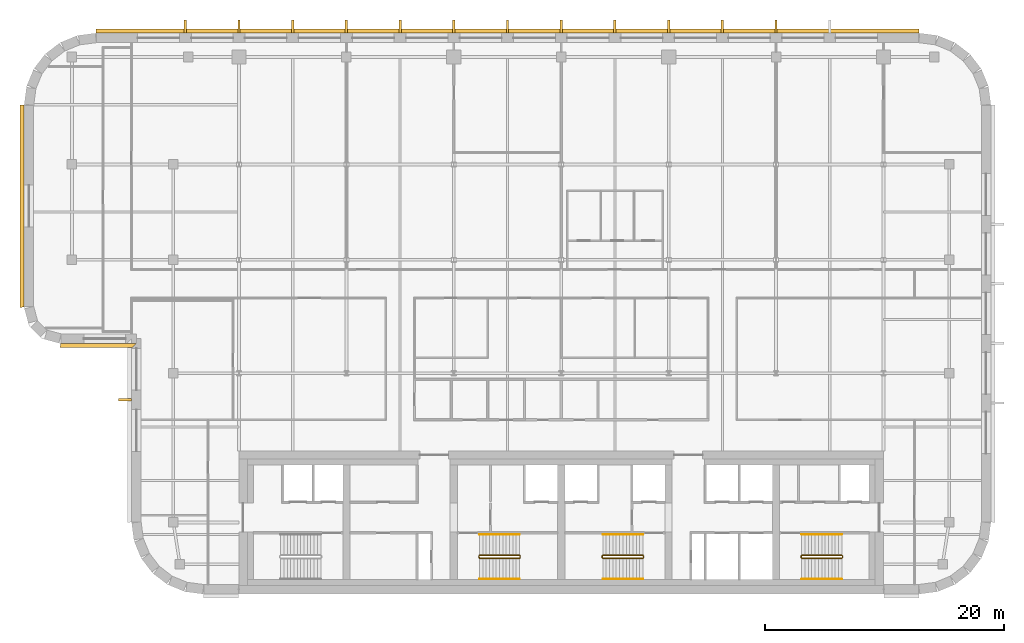
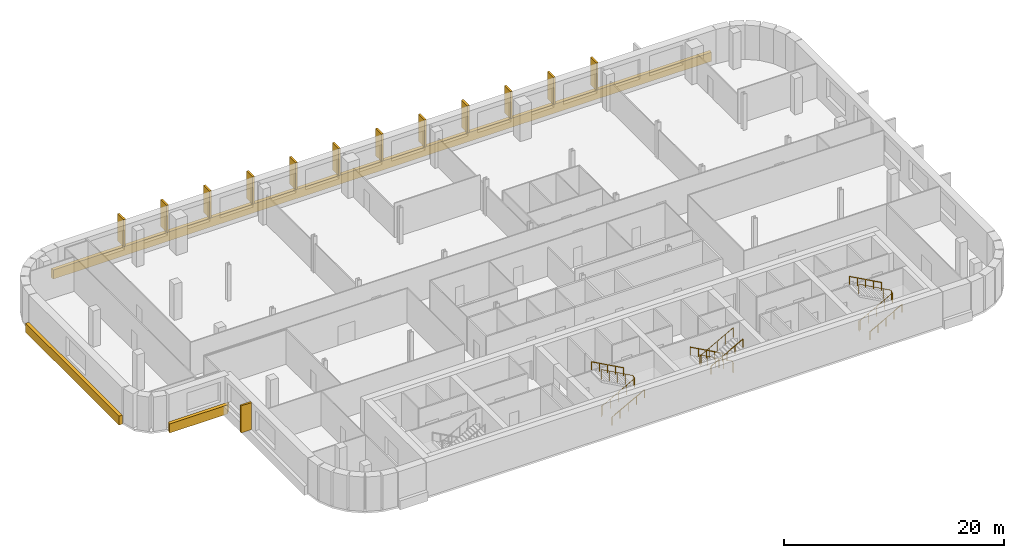
# One storey, part 14 of 16: 16 coverings, 9 railings.
"""IFC4 building model written with IfcOpenShell, lengths in metres."""

import ifcopenshell
import ifcopenshell.guid

model = None  # the IFC model being written
_history = None  # IfcOwnerHistory: only IFC2X3 demands one
_inside = {}  # id of a spatial element -> (the spatial element, [elements in it])
_under = {}  # id of a project, library or spatial element -> (it, [spatial elements below it])
_declared = {}  # id of a project -> (the project, [libraries it declares])
_typed = {}  # id of a type object -> (the type object, [elements of that type])
_made_of = {}  # id of a material, layer set ... -> (it, [elements and type objects made of it])


def new_model(schema):
    """Start an empty IFC model of exactly this schema.

    Asked for "IFC4X3", IfcOpenShell would pick the latest addendum, in which some entities
    have other attributes; the version numbers below select the first issue.
    IFC2X3 requires an IfcOwnerHistory on every rooted entity: one is made here for all.
    """
    global model, _history
    if schema == "IFC4X3":
        model = ifcopenshell.file(schema_version=(4, 3, 0, 0))
    else:
        model = ifcopenshell.file(schema=schema)
    _inside.clear()
    _under.clear()
    _declared.clear()
    _typed.clear()
    _made_of.clear()
    _history = None
    if model.schema == "IFC2X3":
        org = make("IfcOrganization", Name="unknown")
        user = make(
            "IfcPersonAndOrganization",
            ThePerson=make("IfcPerson", FamilyName="unknown"),
            TheOrganization=org,
        )
        app = make(
            "IfcApplication",
            ApplicationDeveloper=org,
            Version="unknown",
            ApplicationFullName="unknown",
            ApplicationIdentifier="unknown",
        )
        _history = make(
            "IfcOwnerHistory",
            OwningUser=user,
            OwningApplication=app,
            ChangeAction="ADDED",
            CreationDate=0,
        )
    return model


def make(cls, **values):
    """One entity of the class cls with the attributes given. An attribute that is None is left unset."""
    return model.create_entity(
        cls, **{name: value for name, value in values.items() if value is not None}
    )


def rooted(cls, **values):
    """An entity with a GlobalId (a new one), such as an element, a storey or a relation."""
    return make(cls, GlobalId=ifcopenshell.guid.new(), OwnerHistory=_history, **values)


def si_unit(unit_type, name, prefix=None):
    """IfcSIUnit, for example si_unit("LENGTHUNIT", "METRE", prefix="MILLI")."""
    return make("IfcSIUnit", UnitType=unit_type, Prefix=prefix, Name=name)


def assignment(units):
    """IfcUnitAssignment: the units of a project."""
    return None if units is None else make("IfcUnitAssignment", Units=units)


def point(xyz):
    """IfcCartesianPoint."""
    return None if xyz is None else make("IfcCartesianPoint", Coordinates=xyz)


def direction(xyz):
    """IfcDirection."""
    return None if xyz is None else make("IfcDirection", DirectionRatios=xyz)


def frame(location, z_axis=None, x_axis=None):
    """IfcAxis2Placement3D, a coordinate frame: its origin and axes. An axis left out is left unset."""
    return make(
        "IfcAxis2Placement3D",
        Location=point(location),
        Axis=direction(z_axis),
        RefDirection=direction(x_axis),
    )


def frame_2d(location, x_axis=None):
    """IfcAxis2Placement2D, a coordinate frame in the plane: its origin and x axis."""
    return make(
        "IfcAxis2Placement2D", Location=point(location), RefDirection=direction(x_axis)
    )


def origin():
    """The frame at (0, 0, 0) with its axes left unset."""
    return frame((0.0, 0.0, 0.0))


def origin_2d():
    """The frame at (0, 0) in the plane with its x axis left unset."""
    return frame_2d((0.0, 0.0))


def place(relative_to, where):
    """IfcLocalPlacement: puts the frame where relative to a parent placement (None: the world)."""
    return make(
        "IfcLocalPlacement", PlacementRelTo=relative_to, RelativePlacement=where
    )


def context(
    kind, dimensions, precision=None, world=None, true_north=None, identifier=None
):
    """IfcGeometricRepresentationContext, for example the 3D "Model" context."""
    return make(
        "IfcGeometricRepresentationContext",
        ContextIdentifier=identifier,
        ContextType=kind,
        CoordinateSpaceDimension=dimensions,
        Precision=precision,
        WorldCoordinateSystem=world,
        TrueNorth=true_north,
    )


def subcontext(parent, identifier, kind, view, scale=None):
    """IfcGeometricRepresentationSubContext, for example "Body" below "Model"."""
    return make(
        "IfcGeometricRepresentationSubContext",
        ContextIdentifier=identifier,
        ContextType=kind,
        ParentContext=parent,
        TargetScale=scale,
        TargetView=view,
    )


def project(units=None, contexts=None):
    """IfcProject with its units and contexts."""
    return rooted(
        "IfcProject",
        Name="project",
        RepresentationContexts=contexts,
        UnitsInContext=assignment(units),
    )


def spatial(cls, under=None, at=None, **own):
    """A site, building, storey or space (cls), placed at a placement, below another one or the project."""
    s = rooted(cls, ObjectPlacement=at, **own)
    if under is not None:
        _under.setdefault(under.id(), (under, []))[1].append(s)
    return s


def polyline(points):
    """IfcPolyline through the points."""
    return make("IfcPolyline", Points=[point(p) for p in points])


def profile(cls, at=None, kind="AREA", **sizes):
    """A parametric profile (cls). Its sizes go by their IFC names, for example OverallWidth=200.0."""
    return make(cls, ProfileType=kind, Position=at, **sizes)


def circle(**sizes):
    """IfcCircleProfileDef."""
    return profile("IfcCircleProfileDef", **sizes)


def outline(outer, holes=None, kind="AREA"):
    """IfcArbitraryClosedProfileDef: a profile drawn as a closed curve; with holes, ...WithVoids."""
    if holes is None:
        return make("IfcArbitraryClosedProfileDef", ProfileType=kind, OuterCurve=outer)
    return make(
        "IfcArbitraryProfileDefWithVoids",
        ProfileType=kind,
        OuterCurve=outer,
        InnerCurves=holes,
    )


def extrude(swept, where, along, depth):
    """IfcExtrudedAreaSolid: the profile swept, set in the frame where, extruded along a direction by depth."""
    return make(
        "IfcExtrudedAreaSolid",
        SweptArea=swept,
        Position=where,
        ExtrudedDirection=direction(along),
        Depth=depth,
    )


def shape(context_of_items, identifier, shape_type, items):
    """IfcShapeRepresentation: the items that make up one representation, for example the "Body"."""
    return make(
        "IfcShapeRepresentation",
        ContextOfItems=context_of_items,
        RepresentationIdentifier=identifier,
        RepresentationType=shape_type,
        Items=items,
    )


def material(Name=None, Category=None):
    """IfcMaterial."""
    return make("IfcMaterial", Name=Name, Category=Category)


def layer(
    of_material, thickness, ventilated=None, Name=None, Category=None, Priority=None
):
    """IfcMaterialLayer: one layer of a wall or slab, of a material (None: an air gap)."""
    return make(
        "IfcMaterialLayer",
        Material=of_material,
        LayerThickness=thickness,
        IsVentilated=ventilated,
        Name=Name,
        Category=Category,
        Priority=Priority,
    )


def layer_set(layers, Name=None):
    """IfcMaterialLayerSet."""
    return make("IfcMaterialLayerSet", MaterialLayers=layers, LayerSetName=Name)


def made_of(thing, what):
    """Note that an element or type object is made of a material, layer set ...; save() writes the relation."""
    if what is not None:
        _made_of.setdefault(what.id(), (what, []))[1].append(thing)
    return thing


def type_object(cls, material=None, **own):
    """A type object (cls), such as IfcWallType, which elements share."""
    return made_of(rooted(cls, **own), material)


def element(
    cls,
    number,
    at=None,
    inside=None,
    cuts=None,
    type_object=None,
    material=None,
    context=None,
    identifier="Body",
    shape_type=None,
    held_by="IfcProductDefinitionShape",
    body=None,
    shapes=None,
    **own,
):
    """One element of the class cls, such as IfcWall. Its Tag is "e" and its number.

    at: its placement. inside: the storey or other place that contains it. cuts: it is an
    opening in that element (IfcRelVoidsElement). A single representation is given by context,
    identifier, shape_type and body (its items); several are given by shapes. held_by: the class
    of the entity that holds the representations. save() writes the other relations.
    """
    e = rooted(cls, Tag="e%d" % number, ObjectPlacement=at, **own)
    if body is not None:
        shapes = [shape(context, identifier, shape_type, body)]
    if shapes is not None:
        e.Representation = make(held_by, Representations=shapes)
    if inside is not None:
        _inside.setdefault(inside.id(), (inside, []))[1].append(e)
    if cuts is not None:
        rooted(
            "IfcRelVoidsElement", RelatingBuildingElement=cuts, RelatedOpeningElement=e
        )
    if type_object is not None:
        _typed.setdefault(type_object.id(), (type_object, []))[1].append(e)
    return made_of(e, material)


def aggregate(whole, parts):
    """IfcRelAggregates: a whole, such as a stair, and the parts it consists of."""
    return rooted("IfcRelAggregates", RelatingObject=whole, RelatedObjects=parts)


def save(model, path):
    """Write the relations noted so far, then the file.

    IfcRelAggregates (storeys below a building ...), IfcRelContainedInSpatialStructure (elements
    in a storey), IfcRelDefinesByType, IfcRelAssociatesMaterial and IfcRelDeclares: one each for
    every whole, place, type object, material and project.
    """
    for whole, parts in _under.values():
        aggregate(whole, parts)
    for where, things in _inside.values():
        rooted(
            "IfcRelContainedInSpatialStructure",
            RelatedElements=things,
            RelatingStructure=where,
        )
    for kind, things in _typed.values():
        rooted("IfcRelDefinesByType", RelatedObjects=things, RelatingType=kind)
    for what, things in _made_of.values():
        rooted("IfcRelAssociatesMaterial", RelatedObjects=things, RelatingMaterial=what)
    for by, libraries in _declared.values():
        rooted("IfcRelDeclares", RelatingContext=by, RelatedDefinitions=libraries)
    model.write(path)


model = new_model("IFC4")

# Units and contexts
model_context = context("Model", 3, precision=1e-05, world=origin(), true_north=direction((0.0, 1.0)))
body_context = subcontext(model_context, "Body", "Model", "MODEL_VIEW")
ifc_project = project(units=[si_unit("LENGTHUNIT", "METRE"), si_unit("AREAUNIT", "SQUARE_METRE"), si_unit("VOLUMEUNIT", "CUBIC_METRE"), si_unit("PLANEANGLEUNIT", "RADIAN"), si_unit("MASSUNIT", "GRAM", prefix="KILO")], contexts=[model_context])

# Site, building, storey
site_placement = place(None, origin())
site = spatial("IfcSite", under=ifc_project, at=site_placement, CompositionType="ELEMENT")
building_placement = place(site_placement, origin())
building = spatial("IfcBuilding", under=site, at=building_placement, Name="Zellij Exchange Tower", CompositionType="ELEMENT")
storey_placement = place(building_placement, frame((0.0, 0.0, 248.5)))
storey = spatial("IfcBuildingStorey", under=building, at=storey_placement, Name="L58", CompositionType="ELEMENT", Elevation=248.5)

# Railings
ifc_material_1 = material(Name="Stainless steel", Category="steel")
railing_type_1 = type_object("IfcRailingType", Name="CORE-RG stair guard", PredefinedType="GUARDRAIL", material=ifc_material_1)
railing_1_placement = place(storey_placement, frame((-6.89990234375, -10.949951171875, 0.0)))
element("IfcRailing", 1, at=railing_1_placement, inside=storey, type_object=railing_type_1, Name="ST2 stair guard L58", PredefinedType="GUARDRAIL", context=body_context, shape_type="SweptSolid", body=[
    extrude(circle(Radius=0.02392578125, at=origin_2d()), frame((0.0, 0.0, 1.076171875), z_axis=(0.0, 1.0, 0.0), x_axis=(-1.0, 0.0, 0.0)), (0.0, 0.0, 1.0), 0.14990234375),
    extrude(circle(Radius=0.02392578125, at=origin_2d()), frame((0.0, 0.14990234375, 1.076171875), z_axis=(0.193691321961, -0.777613689637, 0.598164376644), x_axis=(0.970351222016, 0.241699205484, 0.0)), (0.0, 0.0, 1.0), 0.257080078125),
    extrude(circle(Radius=0.02392578125, at=origin_2d()), frame((0.0498046875, -0.050048828125, 1.22998046875), z_axis=(0.876421534553, 0.0, 0.481544695509), x_axis=(0.0, 1.0, 0.0)), (0.0, 0.0, 1.0), 3.833984375),
    extrude(circle(Radius=0.02392578125, at=origin_2d()), frame((3.409912109375, -0.050048828125, 3.076171875), z_axis=(0.707106781187, 0.707106781187, 0.0), x_axis=(-0.707106781187, 0.707106781187, 0.0)), (0.0, 0.0, 1.0), 0.07080078125),
    extrude(circle(Radius=0.02392578125, at=origin_2d()), frame((3.4599609375, 0.0, 3.076171875), z_axis=(0.0, 1.0, 0.0), x_axis=(-1.0, 0.0, 0.0)), (0.0, 0.0, 1.0), 0.14990234375),
    extrude(circle(Radius=0.02392578125, at=origin_2d()), frame((3.4599609375, 0.14990234375, 3.076171875), z_axis=(-0.295599637079, 0.295599637079, 0.908428152975), x_axis=(-0.707106781187, -0.707106781187, 0.0)), (0.0, 0.0, 1.0), 0.16943359375),
    extrude(circle(Radius=0.02392578125, at=origin_2d()), frame((3.409912109375, 0.199951171875, 3.22998046875), z_axis=(-0.876421534553, 0.0, 0.481544695509), x_axis=(0.0, -1.0, 0.0)), (0.0, 0.0, 1.0), 3.833984375),
    extrude(circle(Radius=0.02099609375, at=origin_2d()), origin(), (0.0, 0.0, 1.0), 1.052001953125),
    extrude(circle(Radius=0.02099609375, at=origin_2d()), frame((0.0, 0.14990234375, 0.0)), (0.0, 0.0, 1.0), 1.052001953125),
    extrude(circle(Radius=0.02099609375, at=origin_2d()), frame((0.0498046875, -0.050048828125, 0.15380859375)), (0.0, 0.0, 1.0), 1.052001953125),
    extrude(circle(Radius=0.02099609375, at=origin_2d()), frame((0.889892578125, -0.050048828125, 0.615234375)), (0.0, 0.0, 1.0), 1.052001953125),
    extrude(circle(Radius=0.02099609375, at=origin_2d()), frame((1.72998046875, -0.050048828125, 1.076904296875)), (0.0, 0.0, 1.0), 1.052001953125),
    extrude(circle(Radius=0.02099609375, at=origin_2d()), frame((2.56982421875, -0.050048828125, 1.53857421875)), (0.0, 0.0, 1.0), 1.052001953125),
    extrude(circle(Radius=0.02099609375, at=origin_2d()), frame((3.409912109375, -0.050048828125, 2.0)), (0.0, 0.0, 1.0), 1.052001953125),
    extrude(circle(Radius=0.02099609375, at=origin_2d()), frame((3.4599609375, 0.0, 2.0)), (0.0, 0.0, 1.0), 1.052001953125),
    extrude(circle(Radius=0.02099609375, at=origin_2d()), frame((3.4599609375, 0.14990234375, 2.0)), (0.0, 0.0, 1.0), 1.052001953125),
    extrude(circle(Radius=0.02099609375, at=origin_2d()), frame((3.409912109375, 0.199951171875, 2.15380859375)), (0.0, 0.0, 1.0), 1.052001953125),
    extrude(circle(Radius=0.02099609375, at=origin_2d()), frame((2.56982421875, 0.199951171875, 2.615234375)), (0.0, 0.0, 1.0), 1.052001953125),
    extrude(circle(Radius=0.02099609375, at=origin_2d()), frame((1.72998046875, 0.199951171875, 3.076904296875)), (0.0, 0.0, 1.0), 1.052001953125),
    extrude(circle(Radius=0.02099609375, at=origin_2d()), frame((0.889892578125, 0.199951171875, 3.53857421875)), (0.0, 0.0, 1.0), 1.052001953125),
    extrude(circle(Radius=0.02099609375, at=origin_2d()), frame((0.0498046875, 0.199951171875, 4.0)), (0.0, 0.0, 1.0), 1.052001953125),
])
railing_2_placement = place(storey_placement, frame((6.89990234375, -10.800048828125, 0.0)))
element("IfcRailing", 2, at=railing_2_placement, inside=storey, type_object=railing_type_1, Name="ST3 stair guard L58", PredefinedType="GUARDRAIL", context=body_context, shape_type="SweptSolid", body=[
    extrude(circle(Radius=0.02392578125, at=origin_2d()), frame((0.0, 0.0, 1.076171875), z_axis=(0.0, -1.0, 0.0), x_axis=(1.0, 0.0, 0.0)), (0.0, 0.0, 1.0), 0.14990234375),
    extrude(circle(Radius=0.02392578125, at=origin_2d()), frame((0.0, -0.14990234375, 1.076171875), z_axis=(-0.193691321961, 0.777613689637, 0.598164376644), x_axis=(-0.970351222016, -0.241699205484, 0.0)), (0.0, 0.0, 1.0), 0.257080078125),
    extrude(circle(Radius=0.02392578125, at=origin_2d()), frame((-0.0498046875, 0.050048828125, 1.22998046875), z_axis=(-0.876421534553, 0.0, 0.481544695509), x_axis=(0.0, -1.0, 0.0)), (0.0, 0.0, 1.0), 3.833984375),
    extrude(circle(Radius=0.02392578125, at=origin_2d()), frame((-3.409912109375, 0.050048828125, 3.076171875), z_axis=(-0.707106781187, -0.707106781187, 0.0), x_axis=(0.707106781187, -0.707106781187, 0.0)), (0.0, 0.0, 1.0), 0.07080078125),
    extrude(circle(Radius=0.02392578125, at=origin_2d()), frame((-3.4599609375, 0.0, 3.076171875), z_axis=(0.0, -1.0, 0.0), x_axis=(1.0, 0.0, 0.0)), (0.0, 0.0, 1.0), 0.14990234375),
    extrude(circle(Radius=0.02392578125, at=origin_2d()), frame((-3.4599609375, -0.14990234375, 3.076171875), z_axis=(0.295599637079, -0.295599637079, 0.908428152975), x_axis=(0.707106781187, 0.707106781187, 0.0)), (0.0, 0.0, 1.0), 0.16943359375),
    extrude(circle(Radius=0.02392578125, at=origin_2d()), frame((-3.409912109375, -0.199951171875, 3.22998046875), z_axis=(0.876421534553, 0.0, 0.481544695509), x_axis=(0.0, 1.0, 0.0)), (0.0, 0.0, 1.0), 3.833984375),
    extrude(circle(Radius=0.02099609375, at=origin_2d()), origin(), (0.0, 0.0, 1.0), 1.052001953125),
    extrude(circle(Radius=0.02099609375, at=origin_2d()), frame((0.0, -0.14990234375, 0.0)), (0.0, 0.0, 1.0), 1.052001953125),
    extrude(circle(Radius=0.02099609375, at=origin_2d()), frame((-0.0498046875, 0.050048828125, 0.15380859375)), (0.0, 0.0, 1.0), 1.052001953125),
    extrude(circle(Radius=0.02099609375, at=origin_2d()), frame((-0.889892578125, 0.050048828125, 0.615234375)), (0.0, 0.0, 1.0), 1.052001953125),
    extrude(circle(Radius=0.02099609375, at=origin_2d()), frame((-1.72998046875, 0.050048828125, 1.076904296875)), (0.0, 0.0, 1.0), 1.052001953125),
    extrude(circle(Radius=0.02099609375, at=origin_2d()), frame((-2.56982421875, 0.050048828125, 1.53857421875)), (0.0, 0.0, 1.0), 1.052001953125),
    extrude(circle(Radius=0.02099609375, at=origin_2d()), frame((-3.409912109375, 0.050048828125, 2.0)), (0.0, 0.0, 1.0), 1.052001953125),
    extrude(circle(Radius=0.02099609375, at=origin_2d()), frame((-3.4599609375, 0.0, 2.0)), (0.0, 0.0, 1.0), 1.052001953125),
    extrude(circle(Radius=0.02099609375, at=origin_2d()), frame((-3.4599609375, -0.14990234375, 2.0)), (0.0, 0.0, 1.0), 1.052001953125),
    extrude(circle(Radius=0.02099609375, at=origin_2d()), frame((-3.409912109375, -0.199951171875, 2.15380859375)), (0.0, 0.0, 1.0), 1.052001953125),
    extrude(circle(Radius=0.02099609375, at=origin_2d()), frame((-2.56982421875, -0.199951171875, 2.615234375)), (0.0, 0.0, 1.0), 1.052001953125),
    extrude(circle(Radius=0.02099609375, at=origin_2d()), frame((-1.72998046875, -0.199951171875, 3.076904296875)), (0.0, 0.0, 1.0), 1.052001953125),
    extrude(circle(Radius=0.02099609375, at=origin_2d()), frame((-0.889892578125, -0.199951171875, 3.53857421875)), (0.0, 0.0, 1.0), 1.052001953125),
    extrude(circle(Radius=0.02099609375, at=origin_2d()), frame((-0.0498046875, -0.199951171875, 4.0)), (0.0, 0.0, 1.0), 1.052001953125),
])
railing_3_placement = place(storey_placement, frame((20.10009765625, -10.949951171875, 0.0)))
element("IfcRailing", 3, at=railing_3_placement, inside=storey, type_object=railing_type_1, Name="ST4 stair guard L58", PredefinedType="GUARDRAIL", context=body_context, shape_type="SweptSolid", body=[
    extrude(circle(Radius=0.02392578125, at=origin_2d()), frame((0.0, 0.0, 1.076171875), z_axis=(0.0, 1.0, 0.0), x_axis=(-1.0, 0.0, 0.0)), (0.0, 0.0, 1.0), 0.14990234375),
    extrude(circle(Radius=0.02392578125, at=origin_2d()), frame((0.0, 0.14990234375, 1.076171875), z_axis=(0.193691321961, -0.777613689637, 0.598164376644), x_axis=(0.970351222016, 0.241699205484, 0.0)), (0.0, 0.0, 1.0), 0.257080078125),
    extrude(circle(Radius=0.02392578125, at=origin_2d()), frame((0.0498046875, -0.050048828125, 1.22998046875), z_axis=(0.876421534553, 0.0, 0.481544695509), x_axis=(0.0, 1.0, 0.0)), (0.0, 0.0, 1.0), 3.833984375),
    extrude(circle(Radius=0.02392578125, at=origin_2d()), frame((3.409912109375, -0.050048828125, 3.076171875), z_axis=(0.707106781187, 0.707106781187, 0.0), x_axis=(-0.707106781187, 0.707106781187, 0.0)), (0.0, 0.0, 1.0), 0.07080078125),
    extrude(circle(Radius=0.02392578125, at=origin_2d()), frame((3.4599609375, 0.0, 3.076171875), z_axis=(0.0, 1.0, 0.0), x_axis=(-1.0, 0.0, 0.0)), (0.0, 0.0, 1.0), 0.14990234375),
    extrude(circle(Radius=0.02392578125, at=origin_2d()), frame((3.4599609375, 0.14990234375, 3.076171875), z_axis=(-0.295599637079, 0.295599637079, 0.908428152975), x_axis=(-0.707106781187, -0.707106781187, 0.0)), (0.0, 0.0, 1.0), 0.16943359375),
    extrude(circle(Radius=0.02392578125, at=origin_2d()), frame((3.409912109375, 0.199951171875, 3.22998046875), z_axis=(-0.876421534553, 0.0, 0.481544695509), x_axis=(0.0, -1.0, 0.0)), (0.0, 0.0, 1.0), 3.833984375),
    extrude(circle(Radius=0.02099609375, at=origin_2d()), origin(), (0.0, 0.0, 1.0), 1.052001953125),
    extrude(circle(Radius=0.02099609375, at=origin_2d()), frame((0.0, 0.14990234375, 0.0)), (0.0, 0.0, 1.0), 1.052001953125),
    extrude(circle(Radius=0.02099609375, at=origin_2d()), frame((0.0498046875, -0.050048828125, 0.15380859375)), (0.0, 0.0, 1.0), 1.052001953125),
    extrude(circle(Radius=0.02099609375, at=origin_2d()), frame((0.889892578125, -0.050048828125, 0.615234375)), (0.0, 0.0, 1.0), 1.052001953125),
    extrude(circle(Radius=0.02099609375, at=origin_2d()), frame((1.72998046875, -0.050048828125, 1.076904296875)), (0.0, 0.0, 1.0), 1.052001953125),
    extrude(circle(Radius=0.02099609375, at=origin_2d()), frame((2.56982421875, -0.050048828125, 1.53857421875)), (0.0, 0.0, 1.0), 1.052001953125),
    extrude(circle(Radius=0.02099609375, at=origin_2d()), frame((3.409912109375, -0.050048828125, 2.0)), (0.0, 0.0, 1.0), 1.052001953125),
    extrude(circle(Radius=0.02099609375, at=origin_2d()), frame((3.4599609375, 0.0, 2.0)), (0.0, 0.0, 1.0), 1.052001953125),
    extrude(circle(Radius=0.02099609375, at=origin_2d()), frame((3.4599609375, 0.14990234375, 2.0)), (0.0, 0.0, 1.0), 1.052001953125),
    extrude(circle(Radius=0.02099609375, at=origin_2d()), frame((3.409912109375, 0.199951171875, 2.15380859375)), (0.0, 0.0, 1.0), 1.052001953125),
    extrude(circle(Radius=0.02099609375, at=origin_2d()), frame((2.56982421875, 0.199951171875, 2.615234375)), (0.0, 0.0, 1.0), 1.052001953125),
    extrude(circle(Radius=0.02099609375, at=origin_2d()), frame((1.72998046875, 0.199951171875, 3.076904296875)), (0.0, 0.0, 1.0), 1.052001953125),
    extrude(circle(Radius=0.02099609375, at=origin_2d()), frame((0.889892578125, 0.199951171875, 3.53857421875)), (0.0, 0.0, 1.0), 1.052001953125),
    extrude(circle(Radius=0.02099609375, at=origin_2d()), frame((0.0498046875, 0.199951171875, 4.0)), (0.0, 0.0, 1.0), 1.052001953125),
])
railing_type_2 = type_object("IfcRailingType", Name="CORE-RH stair handrail", PredefinedType="HANDRAIL", material=ifc_material_1)
railing_4_placement = place(storey_placement, frame((-6.85009765625, -12.75, 0.15380859375)))
element("IfcRailing", 4, at=railing_4_placement, inside=storey, type_object=railing_type_2, Name="ST2 stair handrail L58", PredefinedType="HANDRAIL", context=body_context, shape_type="SweptSolid", body=[
    extrude(circle(Radius=0.02392578125, at=origin_2d()), frame((0.0, 0.0, 0.8759765625), z_axis=(0.876421534553, 0.0, 0.481544695509), x_axis=(0.0, 1.0, 0.0)), (0.0, 0.0, 1.0), 3.833984375),
    extrude(circle(Radius=0.02099609375, at=origin_2d()), origin(), (0.0, 0.0, 1.0), 0.851806640625),
    extrude(circle(Radius=0.02099609375, at=origin_2d()), frame((0.840087890625, 0.0, 0.46142578125)), (0.0, 0.0, 1.0), 0.851806640625),
    extrude(circle(Radius=0.02099609375, at=origin_2d()), frame((1.68017578125, 0.0, 0.923095703125)), (0.0, 0.0, 1.0), 0.851806640625),
    extrude(circle(Radius=0.02099609375, at=origin_2d()), frame((2.52001953125, 0.0, 1.384765625)), (0.0, 0.0, 1.0), 0.851806640625),
    extrude(circle(Radius=0.02099609375, at=origin_2d()), frame((3.360107421875, 0.0, 1.84619140625)), (0.0, 0.0, 1.0), 0.851806640625),
])
for number, where, name in (
    (5, (-3.489990234375, -9.0, 2.15380859375), "ST2 stair handrail L58"),
    (6, (6.85009765625, -9.0, 0.15380859375), "ST3 stair handrail L58"),
):
    element("IfcRailing", number, at=place(storey_placement, frame(where)), inside=storey, type_object=railing_type_2, Name=name, PredefinedType="HANDRAIL", context=body_context, shape_type="SweptSolid", body=[
        extrude(circle(Radius=0.02392578125, at=origin_2d()), frame((0.0, 0.0, 0.8759765625), z_axis=(-0.876421534553, 0.0, 0.481544695509), x_axis=(0.0, -1.0, 0.0)), (0.0, 0.0, 1.0), 3.833984375),
        extrude(circle(Radius=0.02099609375, at=origin_2d()), origin(), (0.0, 0.0, 1.0), 0.851806640625),
        extrude(circle(Radius=0.02099609375, at=origin_2d()), frame((-0.840087890625, 0.0, 0.46142578125)), (0.0, 0.0, 1.0), 0.851806640625),
        extrude(circle(Radius=0.02099609375, at=origin_2d()), frame((-1.68017578125, 0.0, 0.923095703125)), (0.0, 0.0, 1.0), 0.851806640625),
        extrude(circle(Radius=0.02099609375, at=origin_2d()), frame((-2.52001953125, 0.0, 1.384765625)), (0.0, 0.0, 1.0), 0.851806640625),
        extrude(circle(Radius=0.02099609375, at=origin_2d()), frame((-3.360107421875, 0.0, 1.84619140625)), (0.0, 0.0, 1.0), 0.851806640625),
    ])
for number, where, name in (
    (7, (3.489990234375, -12.75, 2.15380859375), "ST3 stair handrail L58"),
    (8, (20.14990234375, -12.75, 0.15380859375), "ST4 stair handrail L58"),
):
    element("IfcRailing", number, at=place(storey_placement, frame(where)), inside=storey, type_object=railing_type_2, Name=name, PredefinedType="HANDRAIL", context=body_context, shape_type="SweptSolid", body=[
        extrude(circle(Radius=0.02392578125, at=origin_2d()), frame((0.0, 0.0, 0.8759765625), z_axis=(0.876421534553, 0.0, 0.481544695509), x_axis=(0.0, 1.0, 0.0)), (0.0, 0.0, 1.0), 3.833984375),
        extrude(circle(Radius=0.02099609375, at=origin_2d()), origin(), (0.0, 0.0, 1.0), 0.851806640625),
        extrude(circle(Radius=0.02099609375, at=origin_2d()), frame((0.840087890625, 0.0, 0.46142578125)), (0.0, 0.0, 1.0), 0.851806640625),
        extrude(circle(Radius=0.02099609375, at=origin_2d()), frame((1.68017578125, 0.0, 0.923095703125)), (0.0, 0.0, 1.0), 0.851806640625),
        extrude(circle(Radius=0.02099609375, at=origin_2d()), frame((2.52001953125, 0.0, 1.384765625)), (0.0, 0.0, 1.0), 0.851806640625),
        extrude(circle(Radius=0.02099609375, at=origin_2d()), frame((3.360107421875, 0.0, 1.84619140625)), (0.0, 0.0, 1.0), 0.851806640625),
    ])
railing_5_placement = place(storey_placement, frame((23.510009765625, -9.0, 2.15380859375)))
element("IfcRailing", 9, at=railing_5_placement, inside=storey, type_object=railing_type_2, Name="ST4 stair handrail L58", PredefinedType="HANDRAIL", context=body_context, shape_type="SweptSolid", body=[
    extrude(circle(Radius=0.02392578125, at=origin_2d()), frame((0.0, 0.0, 0.8759765625), z_axis=(-0.876421534553, 0.0, 0.481544695509), x_axis=(0.0, -1.0, 0.0)), (0.0, 0.0, 1.0), 3.833984375),
    extrude(circle(Radius=0.02099609375, at=origin_2d()), origin(), (0.0, 0.0, 1.0), 0.851806640625),
    extrude(circle(Radius=0.02099609375, at=origin_2d()), frame((-0.840087890625, 0.0, 0.46142578125)), (0.0, 0.0, 1.0), 0.851806640625),
    extrude(circle(Radius=0.02099609375, at=origin_2d()), frame((-1.68017578125, 0.0, 0.923095703125)), (0.0, 0.0, 1.0), 0.851806640625),
    extrude(circle(Radius=0.02099609375, at=origin_2d()), frame((-2.52001953125, 0.0, 1.384765625)), (0.0, 0.0, 1.0), 0.851806640625),
    extrude(circle(Radius=0.02099609375, at=origin_2d()), frame((-3.360107421875, 0.0, 1.84619140625)), (0.0, 0.0, 1.0), 0.851806640625),
])

# Coverings
ifc_material_2 = material(Name="Limestone cladding", Category="masonry")
ifc_layer = layer(ifc_material_2, 0.35009765625)
ifc_layer_set = layer_set([ifc_layer], Name="Limestone cladding")
covering_type_1 = type_object("IfcCoveringType", Name="ENV-CV10 Stone spandrel band 350", PredefinedType="CLADDING", material=ifc_layer_set)
covering_1_placement = place(storey_placement, frame((0.0, 0.0, -0.199951171875)))
element("IfcCovering", 10, at=covering_1_placement, inside=storey, type_object=covering_type_1, Name="Stone spandrel band", PredefinedType="CLADDING", context=body_context, shape_type="SweptSolid", body=[
    extrude(outline(polyline([(29.973876953125, 33.0), (-38.973876953125, 33.0), (-38.99658203125, 33.35009765625), (29.99658203125, 33.35009765625), (29.973876953125, 33.0)])), origin(), (0.0, 0.0, 1.0), 1.0),
])
covering_2_placement = place(storey_placement, frame((0.0, 0.0, -0.199951171875)))
element("IfcCovering", 11, at=covering_2_placement, inside=storey, type_object=covering_type_1, Name="Stone spandrel band", PredefinedType="CLADDING", context=body_context, shape_type="SweptSolid", body=[
    extrude(outline(polyline([(-45.0, 26.973876953125), (-45.0, 10.052734375), (-45.35009765625, 10.006591796875), (-45.35009765625, 26.99658203125), (-45.0, 26.973876953125)])), origin(), (0.0, 0.0, 1.0), 1.0),
])
covering_3_placement = place(storey_placement, frame((0.0, 0.0, -0.199951171875)))
element("IfcCovering", 12, at=covering_3_placement, inside=storey, type_object=covering_type_1, Name="Stone spandrel band", PredefinedType="CLADDING", context=body_context, shape_type="SweptSolid", body=[
    extrude(outline(polyline([(-41.947265625, 7.0), (-35.60009765625, 7.0), (-35.949951171875, 6.64990234375), (-41.993408203125, 6.64990234375), (-41.947265625, 7.0)])), origin(), (0.0, 0.0, 1.0), 1.0),
])
covering_type_2 = type_object("IfcCoveringType", Name="ENV-CV6 Stone pier 200x1100", PredefinedType="CLADDING", material=ifc_material_2)
covering_4_placement = place(storey_placement, frame((0.0, 0.0, 0.800048828125)))
element("IfcCovering", 13, at=covering_4_placement, inside=storey, type_object=covering_type_2, Name="Stone pier", PredefinedType="CLADDING", context=body_context, shape_type="SweptSolid", body=[
    extrude(outline(polyline([(18.10009765625, 33.0), (17.89990234375, 33.0), (17.89990234375, 34.10009765625), (18.10009765625, 34.10009765625), (18.10009765625, 33.0)])), origin(), (0.0, 0.0, 1.0), 3.0),
])
covering_5_placement = place(storey_placement, frame((0.0, 0.0, 0.800048828125)))
element("IfcCovering", 14, at=covering_5_placement, inside=storey, type_object=covering_type_2, Name="Stone pier", PredefinedType="CLADDING", context=body_context, shape_type="SweptSolid", body=[
    extrude(outline(polyline([(13.60009765625, 33.0), (13.39990234375, 33.0), (13.39990234375, 34.10009765625), (13.60009765625, 34.10009765625), (13.60009765625, 33.0)])), origin(), (0.0, 0.0, 1.0), 3.0),
])
covering_6_placement = place(storey_placement, frame((0.0, 0.0, 0.800048828125)))
element("IfcCovering", 15, at=covering_6_placement, inside=storey, type_object=covering_type_2, Name="Stone pier", PredefinedType="CLADDING", context=body_context, shape_type="SweptSolid", body=[
    extrude(outline(polyline([(9.10009765625, 33.0), (8.89990234375, 33.0), (8.89990234375, 34.10009765625), (9.10009765625, 34.10009765625), (9.10009765625, 33.0)])), origin(), (0.0, 0.0, 1.0), 3.0),
])
covering_7_placement = place(storey_placement, frame((0.0, 0.0, 0.800048828125)))
element("IfcCovering", 16, at=covering_7_placement, inside=storey, type_object=covering_type_2, Name="Stone pier", PredefinedType="CLADDING", context=body_context, shape_type="SweptSolid", body=[
    extrude(outline(polyline([(4.60009765625, 33.0), (4.39990234375, 33.0), (4.39990234375, 34.10009765625), (4.60009765625, 34.10009765625), (4.60009765625, 33.0)])), origin(), (0.0, 0.0, 1.0), 3.0),
])
covering_8_placement = place(storey_placement, frame((0.0, 0.0, 0.800048828125)))
element("IfcCovering", 17, at=covering_8_placement, inside=storey, type_object=covering_type_2, Name="Stone pier", PredefinedType="CLADDING", context=body_context, shape_type="SweptSolid", body=[
    extrude(outline(polyline([(0.10009765625, 33.0), (-0.10009765625, 33.0), (-0.10009765625, 34.10009765625), (0.10009765625, 34.10009765625), (0.10009765625, 33.0)])), origin(), (0.0, 0.0, 1.0), 3.0),
])
covering_9_placement = place(storey_placement, frame((0.0, 0.0, 0.800048828125)))
element("IfcCovering", 18, at=covering_9_placement, inside=storey, type_object=covering_type_2, Name="Stone pier", PredefinedType="CLADDING", context=body_context, shape_type="SweptSolid", body=[
    extrude(outline(polyline([(-4.39990234375, 33.0), (-4.60009765625, 33.0), (-4.60009765625, 34.10009765625), (-4.39990234375, 34.10009765625), (-4.39990234375, 33.0)])), origin(), (0.0, 0.0, 1.0), 3.0),
])
covering_10_placement = place(storey_placement, frame((0.0, 0.0, 0.800048828125)))
element("IfcCovering", 19, at=covering_10_placement, inside=storey, type_object=covering_type_2, Name="Stone pier", PredefinedType="CLADDING", context=body_context, shape_type="SweptSolid", body=[
    extrude(outline(polyline([(-8.89990234375, 33.0), (-9.10009765625, 33.0), (-9.10009765625, 34.10009765625), (-8.89990234375, 34.10009765625), (-8.89990234375, 33.0)])), origin(), (0.0, 0.0, 1.0), 3.0),
])
covering_11_placement = place(storey_placement, frame((0.0, 0.0, 0.800048828125)))
element("IfcCovering", 20, at=covering_11_placement, inside=storey, type_object=covering_type_2, Name="Stone pier", PredefinedType="CLADDING", context=body_context, shape_type="SweptSolid", body=[
    extrude(outline(polyline([(-13.39990234375, 33.0), (-13.60009765625, 33.0), (-13.60009765625, 34.10009765625), (-13.39990234375, 34.10009765625), (-13.39990234375, 33.0)])), origin(), (0.0, 0.0, 1.0), 3.0),
])
covering_12_placement = place(storey_placement, frame((0.0, 0.0, 0.800048828125)))
element("IfcCovering", 21, at=covering_12_placement, inside=storey, type_object=covering_type_2, Name="Stone pier", PredefinedType="CLADDING", context=body_context, shape_type="SweptSolid", body=[
    extrude(outline(polyline([(-17.89990234375, 33.0), (-18.10009765625, 33.0), (-18.10009765625, 34.10009765625), (-17.89990234375, 34.10009765625), (-17.89990234375, 33.0)])), origin(), (0.0, 0.0, 1.0), 3.0),
])
covering_13_placement = place(storey_placement, frame((0.0, 0.0, 0.800048828125)))
element("IfcCovering", 22, at=covering_13_placement, inside=storey, type_object=covering_type_2, Name="Stone pier", PredefinedType="CLADDING", context=body_context, shape_type="SweptSolid", body=[
    extrude(outline(polyline([(-22.39990234375, 33.0), (-22.60009765625, 33.0), (-22.60009765625, 34.10009765625), (-22.39990234375, 34.10009765625), (-22.39990234375, 33.0)])), origin(), (0.0, 0.0, 1.0), 3.0),
])
covering_14_placement = place(storey_placement, frame((0.0, 0.0, 0.800048828125)))
element("IfcCovering", 23, at=covering_14_placement, inside=storey, type_object=covering_type_2, Name="Stone pier", PredefinedType="CLADDING", context=body_context, shape_type="SweptSolid", body=[
    extrude(outline(polyline([(-26.89990234375, 33.0), (-27.10009765625, 33.0), (-27.10009765625, 34.10009765625), (-26.89990234375, 34.10009765625), (-26.89990234375, 33.0)])), origin(), (0.0, 0.0, 1.0), 3.0),
])
covering_15_placement = place(storey_placement, frame((0.0, 0.0, 0.800048828125)))
element("IfcCovering", 24, at=covering_15_placement, inside=storey, type_object=covering_type_2, Name="Stone pier", PredefinedType="CLADDING", context=body_context, shape_type="SweptSolid", body=[
    extrude(outline(polyline([(-31.39990234375, 33.0), (-31.60009765625, 33.0), (-31.60009765625, 34.10009765625), (-31.39990234375, 34.10009765625), (-31.39990234375, 33.0)])), origin(), (0.0, 0.0, 1.0), 3.0),
])
covering_16_placement = place(storey_placement, frame((0.0, 0.0, 0.800048828125)))
element("IfcCovering", 25, at=covering_16_placement, inside=storey, type_object=covering_type_2, Name="Stone pier", PredefinedType="CLADDING", context=body_context, shape_type="SweptSolid", body=[
    extrude(outline(polyline([(-36.0, 2.37548828125), (-36.0, 2.17529296875), (-37.10009765625, 2.17529296875), (-37.10009765625, 2.37548828125), (-36.0, 2.37548828125)])), origin(), (0.0, 0.0, 1.0), 3.0),
])

save(model, "model.ifc")
